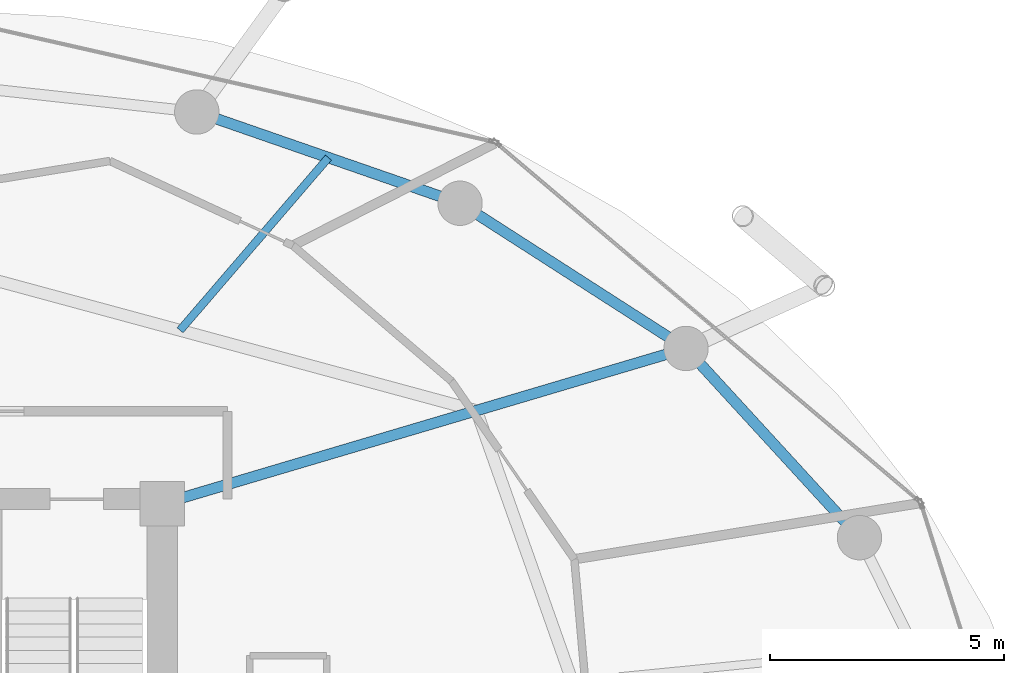
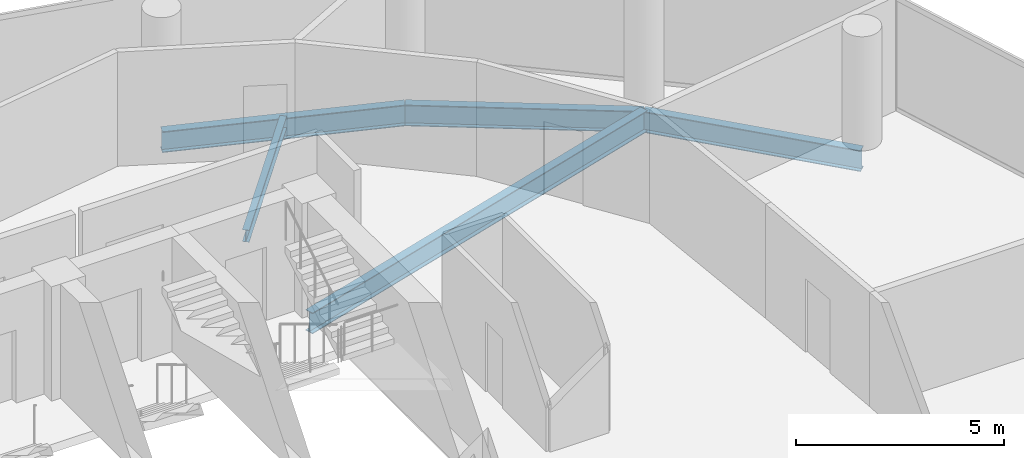
# One storey, part 18 of 26: 5 beams.
"""IFC4 building model written with IfcOpenShell, lengths in metres."""

from ifc_helpers import new_model, si_unit, direction, frame, origin, origin_2d, place, context, subcontext, project, spatial, i_section, extrude, material, material_profile, profile_set, type_object, element, save


model = new_model("IFC4")

# Units and contexts
model_context = context("Model", 3, precision=1e-05, world=origin(), true_north=direction((0.0, 1.0)))
body_context = subcontext(model_context, "Body", "Model", "MODEL_VIEW")
ifc_project = project(units=[si_unit("LENGTHUNIT", "METRE"), si_unit("AREAUNIT", "SQUARE_METRE"), si_unit("VOLUMEUNIT", "CUBIC_METRE"), si_unit("PLANEANGLEUNIT", "RADIAN"), si_unit("MASSUNIT", "GRAM", prefix="KILO")], contexts=[model_context])

# Site, building, storey
site_placement = place(None, origin())
site = spatial("IfcSite", under=ifc_project, at=site_placement, CompositionType="ELEMENT")
building_placement = place(site_placement, origin())
building = spatial("IfcBuilding", under=site, at=building_placement, Name="Nuhasar Tower", CompositionType="ELEMENT")
storey_placement = place(building_placement, frame((0.0, 0.0, 192.25)))
storey = spatial("IfcBuildingStorey", under=building, at=storey_placement, Name="L47", CompositionType="ELEMENT", Elevation=192.25)

# Beams
ifc_material = material(Name="Steel S355", Category="steel")
ifc_material_profile_1 = material_profile(ifc_material, i_section(OverallWidth=0.1708984375, OverallDepth=0.35205078125, WebThickness=0.0068359375, FlangeThickness=0.009765625, at=origin_2d()), Name="W14X30")
ifc_profile_set_1 = profile_set([ifc_material_profile_1], Name="Steel S355")
beam_type_1 = type_object("IfcBeamType", Name="BM-JST-W14X30", PredefinedType="JOIST", material=ifc_profile_set_1)
beam_1_placement = place(storey_placement, frame((44.68408203125, 41.011962890625, -0.426025390625), z_axis=(0.651690621509, 0.758484893612, 0.0), x_axis=(-0.758484893612, 0.651690621509, 0.0)))
element("IfcBeam", 1, at=beam_1_placement, inside=storey, type_object=beam_type_1, Name="L47 Secondary Floor Joist 05", PredefinedType="JOIST", context=body_context, shape_type="SweptSolid", body=[
    extrude(i_section(OverallWidth=0.1708984375, OverallDepth=0.35205078125, WebThickness=0.0068359375, FlangeThickness=0.009765625, at=origin_2d()), origin(), (0.0, 0.0, 1.0), 4.87158203125),
])
ifc_material_profile_2 = material_profile(ifc_material, i_section(OverallWidth=0.22900390625, OverallDepth=0.612060546875, WebThickness=0.011962890625, FlangeThickness=0.01953125, at=origin_2d()), Name="W24X84")
ifc_profile_set_2 = profile_set([ifc_material_profile_2], Name="Steel S355")
beam_type_2 = type_object("IfcBeamType", Name="BM-RAD-W24X84", PredefinedType="BEAM", material=ifc_profile_set_2)
beam_2_placement = place(storey_placement, frame((44.300048828125, 37.300048828125, -0.555908203125), z_axis=(0.958746492721, 0.284262489076, 0.0), x_axis=(-0.284262489076, 0.958746492721, 0.0)))
element("IfcBeam", 2, at=beam_2_placement, inside=storey, type_object=beam_type_2, Name="L47 Radial Floor Girder 05", PredefinedType="BEAM", context=body_context, shape_type="SweptSolid", body=[
    extrude(i_section(OverallWidth=0.22900390625, OverallDepth=0.612060546875, WebThickness=0.011962890625, FlangeThickness=0.01953125, at=origin_2d()), origin(), (0.0, 0.0, 1.0), 11.693359375),
])
ifc_material_profile_3 = material_profile(ifc_material, i_section(OverallWidth=0.22998046875, OverallDepth=0.616943359375, WebThickness=0.01318359375, FlangeThickness=0.022216796875, at=origin_2d()), Name="W24X94")
ifc_profile_set_3 = profile_set([ifc_material_profile_3], Name="Steel S355")
beam_type_3 = type_object("IfcBeamType", Name="BM-RING-W24X94", PredefinedType="SPANDREL", material=ifc_profile_set_3)
beam_3_placement = place(storey_placement, frame((59.221923828125, 36.574951171875, -0.55908203125), z_axis=(-0.675654174897, 0.737218716491, 0.0), x_axis=(-0.737218716491, -0.675654174897, 0.0)))
element("IfcBeam", 3, at=beam_3_placement, inside=storey, type_object=beam_type_3, Name="L47 Perimeter Ring Spandrel 03", PredefinedType="SPANDREL", context=body_context, shape_type="SweptSolid", body=[
    extrude(i_section(OverallWidth=0.22998046875, OverallDepth=0.616943359375, WebThickness=0.01318359375, FlangeThickness=0.022216796875, at=origin_2d()), origin(), (0.0, 0.0, 1.0), 5.492431640625),
])
beam_4_placement = place(storey_placement, frame((55.510986328125, 40.6240234375, -0.55908203125), z_axis=(-0.841327486207, 0.540525726448, 0.0), x_axis=(-0.540525726448, -0.841327486207, 0.0)))
element("IfcBeam", 4, at=beam_4_placement, inside=storey, type_object=beam_type_3, Name="L47 Perimeter Ring Spandrel 04", PredefinedType="SPANDREL", context=body_context, shape_type="SweptSolid", body=[
    extrude(i_section(OverallWidth=0.22998046875, OverallDepth=0.616943359375, WebThickness=0.01318359375, FlangeThickness=0.022216796875, at=origin_2d()), origin(), (0.0, 0.0, 1.0), 5.748046875),
])
beam_5_placement = place(storey_placement, frame((50.675048828125, 43.73095703125, -0.55908203125), z_axis=(-0.944801380051, 0.327643636066, 0.0), x_axis=(-0.327643636066, -0.944801380051, 0.0)))
element("IfcBeam", 5, at=beam_5_placement, inside=storey, type_object=beam_type_3, Name="L47 Perimeter Ring Spandrel 05", PredefinedType="SPANDREL", context=body_context, shape_type="SweptSolid", body=[
    extrude(i_section(OverallWidth=0.22998046875, OverallDepth=0.616943359375, WebThickness=0.01318359375, FlangeThickness=0.022216796875, at=origin_2d()), origin(), (0.0, 0.0, 1.0), 5.961181640625),
])

save(model, "model.ifc")
